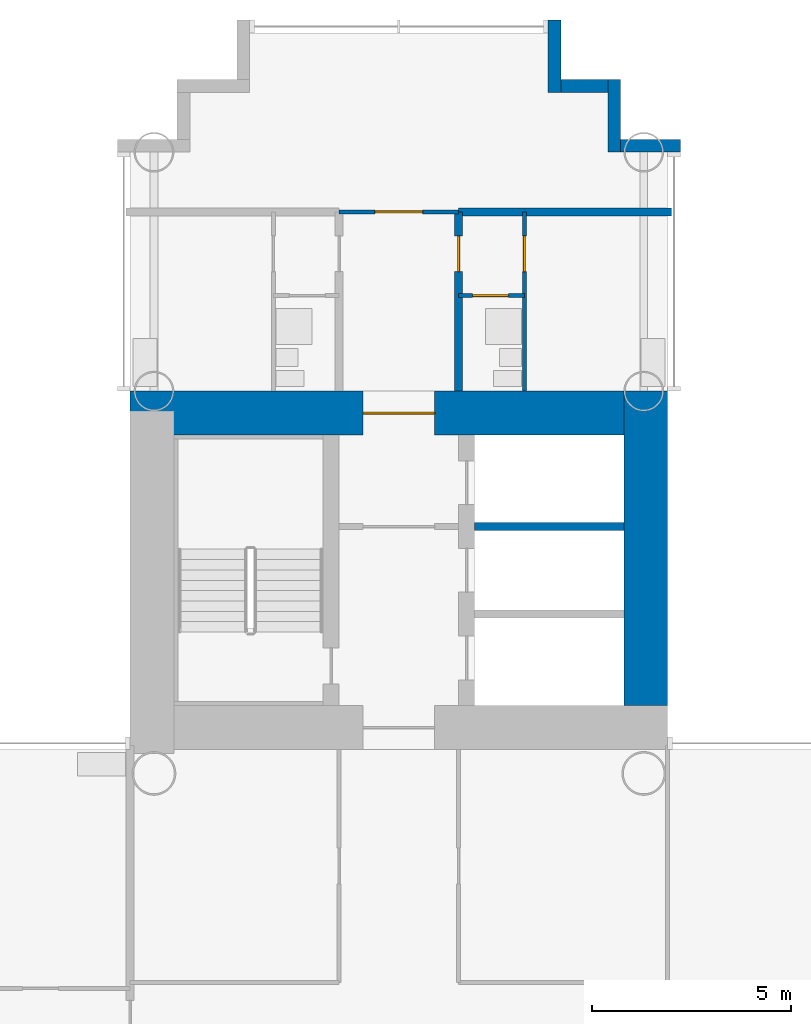
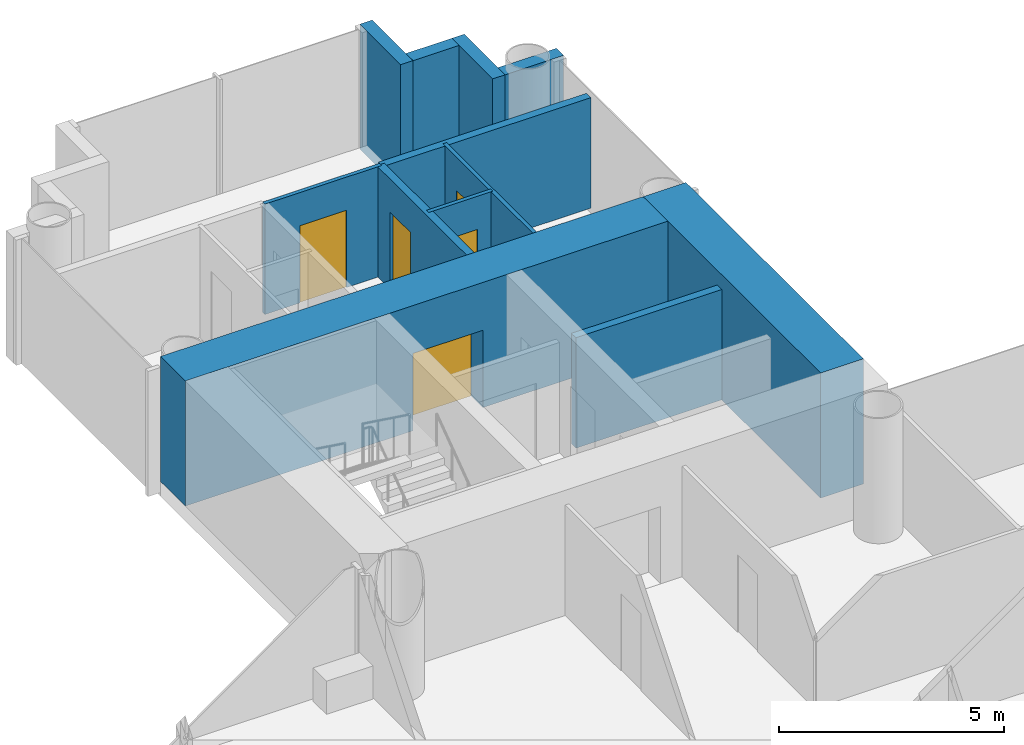
# One storey, part 15 of 21: 12 walls, 5 doors, 5 openings.
"""IFC4 building model written with IfcOpenShell, lengths in metres."""

from ifc_helpers import new_model, si_unit, direction, frame, frame_2d, origin, place, context, subcontext, project, spatial, rectangle, extrude, material, layer, layer_set, type_object, element, fill, save


model = new_model("IFC4")

# Units and contexts
model_context = context("Model", 3, precision=1e-05, world=origin(), true_north=direction((0.0, 1.0)))
body_context = subcontext(model_context, "Body", "Model", "MODEL_VIEW")
ifc_project = project(units=[si_unit("LENGTHUNIT", "METRE"), si_unit("AREAUNIT", "SQUARE_METRE"), si_unit("VOLUMEUNIT", "CUBIC_METRE"), si_unit("PLANEANGLEUNIT", "RADIAN"), si_unit("MASSUNIT", "GRAM", prefix="KILO")], contexts=[model_context])

# Site, building, storey
site_placement = place(None, origin())
site = spatial("IfcSite", under=ifc_project, at=site_placement, CompositionType="ELEMENT")
building_placement = place(site_placement, origin())
building = spatial("IfcBuilding", under=site, at=building_placement, Name="Ipe Terrace Towers", CompositionType="ELEMENT")
storey_placement = place(building_placement, frame((0.0, 0.0, 27.89990234375)))
storey = spatial("IfcBuildingStorey", under=building, at=storey_placement, Name="L06", CompositionType="ELEMENT", Elevation=27.89990234375)

# Walls
ifc_material_1 = material(Name="Concrete C40/50 with buff precast cladding", Category="concrete")
ifc_layer_1 = layer(ifc_material_1, 0.320068359375)
ifc_layer_set_1 = layer_set([ifc_layer_1], Name="BUFF CLADDING WALL 320")
wall_type_1 = type_object("IfcWallType", Name="BUFF CLADDING WALL 320", PredefinedType="STANDARD", material=ifc_layer_set_1)
wall_1_placement = place(storey_placement, frame((43.070068359375, 21.909912109375, -0.2998046875), z_axis=(0.0, 0.0, 1.0), x_axis=(-1.0, 0.0, 0.0)))
element("IfcWall", 1, at=wall_1_placement, inside=storey, type_object=wall_type_1, Name="T2-W-L06-21a wall", PredefinedType="STANDARD", context=body_context, shape_type="SweptSolid", body=[
    extrude(rectangle(XDim=1.5, YDim=0.320068359375, at=frame_2d((0.75, 0.0))), origin(), (0.0, 0.0, 1.0), 3.39990234375),
])
wall_2_placement = place(storey_placement, frame((41.409912109375, 21.75, -0.2998046875), z_axis=(0.0, 0.0, 1.0), x_axis=(0.0, 1.0, 0.0)))
element("IfcWall", 2, at=wall_2_placement, inside=storey, type_object=wall_type_1, Name="T2-W-L06-22a wall", PredefinedType="STANDARD", context=body_context, shape_type="SweptSolid", body=[
    extrude(rectangle(XDim=1.820068359375, YDim=0.320068359375, at=frame_2d((0.91015625, 0.0))), origin(), (0.0, 0.0, 1.0), 3.39990234375),
])
wall_3_placement = place(storey_placement, frame((41.25, 23.409912109375, -0.2998046875), z_axis=(0.0, 0.0, 1.0), x_axis=(-1.0, 0.0, 0.0)))
element("IfcWall", 3, at=wall_3_placement, inside=storey, type_object=wall_type_1, Name="T2-W-L06-23a wall", PredefinedType="STANDARD", context=body_context, shape_type="SweptSolid", body=[
    extrude(rectangle(XDim=1.179931640625, YDim=0.320068359375, at=frame_2d((0.58984375, 0.0))), origin(), (0.0, 0.0, 1.0), 3.39990234375),
])
wall_4_placement = place(storey_placement, frame((39.909912109375, 23.25, -0.2998046875), z_axis=(0.0, 0.0, 1.0), x_axis=(0.0, 1.0, 0.0)))
element("IfcWall", 4, at=wall_4_placement, inside=storey, type_object=wall_type_1, Name="T2-W-L06-24a wall", PredefinedType="STANDARD", context=body_context, shape_type="SweptSolid", body=[
    extrude(rectangle(XDim=1.820068359375, YDim=0.320068359375, at=frame_2d((0.91015625, 0.0))), origin(), (0.0, 0.0, 1.0), 3.39990234375),
])

# Wall, opening, door
ifc_material_2 = material(Name="Gypsum board partition", Category="plasterboard")
ifc_layer_2 = layer(ifc_material_2, 0.10009765625)
ifc_layer_set_2 = layer_set([ifc_layer_2], Name="Gypsum board partition 100 mm")
wall_type_2 = type_object("IfcWallType", Name="Gypsum board partition 100 mm", PredefinedType="PARTITIONING", material=ifc_layer_set_2)
wall_5_placement = place(storey_placement, frame((39.14990234375, 18.14990234375, 0.0), z_axis=(0.0, 0.0, 1.0), x_axis=(-1.0, 0.0, 0.0)))
wall_5 = element("IfcWall", 5, at=wall_5_placement, inside=storey, type_object=wall_type_2, Name="Gypsum board partition T2 L06 W19", PredefinedType="PARTITIONING", context=body_context, shape_type="SweptSolid", body=[
    extrude(rectangle(XDim=1.64990234375, YDim=0.10009765625, at=frame_2d((0.824951171875, 0.0))), origin(), (0.0, 0.0, 1.0), 3.0),
])
opening_1_placement = place(wall_5_placement, frame((0.39990234375, 0.0, 0.0)))
opening_1 = element("IfcOpeningElement", 6, at=opening_1_placement, cuts=wall_5, Name="Opening T2-Z1A-27", PredefinedType="OPENING", context=body_context, shape_type="SweptSolid", body=[
    extrude(rectangle(XDim=0.89990234375, YDim=2.10009765625, at=frame_2d((0.449951171875, 1.050048828125))), frame((0.0, 0.06005859375, 0.0), z_axis=(0.0, -1.0, 0.0), x_axis=(1.0, 0.0, 0.0)), (0.0, 0.0, 1.0), 0.1201171875),
])
ifc_material_3 = material(Name="Timber door leaf", Category="wood")
door_type_1 = type_object("IfcDoorType", Name="Bathroom door 900 x 2100", OperationType="NOTDEFINED", PredefinedType="DOOR", material=ifc_material_3)
door_1_placement = place(opening_1_placement, origin())
door_1 = element("IfcDoor", 7, at=door_1_placement, inside=storey, type_object=door_type_1, Name="Bathroom door T2-Z1A-27", OperationType="SINGLE_SWING_LEFT", OverallHeight=2.10009765625, OverallWidth=0.89990234375, PredefinedType="DOOR", context=body_context, shape_type="SweptSolid", body=[
    extrude(rectangle(XDim=0.89990234375, YDim=2.10009765625, at=frame_2d((0.449951171875, 1.050048828125))), frame((0.0, 0.02490234375, 0.0), z_axis=(0.0, -1.0, 0.0), x_axis=(1.0, 0.0, 0.0)), (0.0, 0.0, 1.0), 0.050048828125),
])
fill(opening_1, door_1)

wall_6_placement = place(storey_placement, frame((37.5, 20.25, 0.0), z_axis=(0.0, 0.0, 1.0), x_axis=(-1.0, 0.0, 0.0)))
wall_6 = element("IfcWall", 8, at=wall_6_placement, inside=storey, type_object=wall_type_2, Name="Gypsum board partition T2 L06 W21", PredefinedType="PARTITIONING", context=body_context, shape_type="SweptSolid", body=[
    extrude(rectangle(XDim=3.0, YDim=0.10009765625, at=frame_2d((1.5, 0.0))), origin(), (0.0, 0.0, 1.0), 3.0),
])
opening_2_placement = place(wall_6_placement, frame((0.89990234375, 0.0, 0.0)))
opening_2 = element("IfcOpeningElement", 9, at=opening_2_placement, cuts=wall_6, Name="Opening T2-Z1A-28", PredefinedType="OPENING", context=body_context, shape_type="SweptSolid", body=[
    extrude(rectangle(XDim=1.199951171875, YDim=2.10009765625, at=frame_2d((0.60009765625, 1.050048828125))), frame((0.0, 0.06005859375, 0.0), z_axis=(0.0, -1.0, 0.0), x_axis=(1.0, 0.0, 0.0)), (0.0, 0.0, 1.0), 0.1201171875),
])
ifc_material_4 = material(Name="Timber door leaf", Category="wood")
door_type_2 = type_object("IfcDoorType", Name="Lounge door 1200 x 2100", OperationType="NOTDEFINED", PredefinedType="DOOR", material=ifc_material_4)
door_2_placement = place(opening_2_placement, origin())
door_2 = element("IfcDoor", 10, at=door_2_placement, inside=storey, type_object=door_type_2, Name="Lounge door T2-Z1A-28", OperationType="SINGLE_SWING_RIGHT", OverallHeight=2.10009765625, OverallWidth=1.199951171875, PredefinedType="DOOR", context=body_context, shape_type="SweptSolid", body=[
    extrude(rectangle(XDim=1.199951171875, YDim=2.10009765625, at=frame_2d((0.60009765625, 1.050048828125))), frame((0.0, 0.02490234375, 0.0), z_axis=(0.0, -1.0, 0.0), x_axis=(1.0, 0.0, 0.0)), (0.0, 0.0, 1.0), 0.050048828125),
])
fill(opening_2, door_2)

wall_7_placement = place(storey_placement, frame((39.14990234375, 15.75, 0.0), z_axis=(0.0, 0.0, 1.0), x_axis=(0.0, 1.0, 0.0)))
wall_7 = element("IfcWall", 11, at=wall_7_placement, inside=storey, type_object=wall_type_2, Name="Gypsum board partition T2 L06 W34", PredefinedType="PARTITIONING", context=body_context, shape_type="SweptSolid", body=[
    extrude(rectangle(XDim=4.5, YDim=0.10009765625, at=frame_2d((2.25, 0.0))), origin(), (0.0, 0.0, 1.0), 3.0),
])
opening_3_placement = place(wall_7_placement, frame((3.0, 0.0, 0.0)))
opening_3 = element("IfcOpeningElement", 12, at=opening_3_placement, cuts=wall_7, Name="Opening T2-Z1A-26", PredefinedType="OPENING", context=body_context, shape_type="SweptSolid", body=[
    extrude(rectangle(XDim=0.89990234375, YDim=2.10009765625, at=frame_2d((0.449951171875, 1.050048828125))), frame((0.0, 0.06005859375, 0.0), z_axis=(0.0, -1.0, 0.0), x_axis=(1.0, 0.0, 0.0)), (0.0, 0.0, 1.0), 0.1201171875),
])
ifc_material_5 = material(Name="Timber door leaf", Category="wood")
door_type_3 = type_object("IfcDoorType", Name="Bedroom door 900 x 2100", OperationType="NOTDEFINED", PredefinedType="DOOR", material=ifc_material_5)
door_3_placement = place(opening_3_placement, origin())
door_3 = element("IfcDoor", 13, at=door_3_placement, inside=storey, type_object=door_type_3, Name="Bedroom door T2-Z1A-26", OperationType="SINGLE_SWING_RIGHT", OverallHeight=2.10009765625, OverallWidth=0.89990234375, PredefinedType="DOOR", context=body_context, shape_type="SweptSolid", body=[
    extrude(rectangle(XDim=0.89990234375, YDim=2.10009765625, at=frame_2d((0.449951171875, 1.050048828125))), frame((0.0, 0.02490234375, 0.0), z_axis=(0.0, -1.0, 0.0), x_axis=(1.0, 0.0, 0.0)), (0.0, 0.0, 1.0), 0.050048828125),
])
fill(opening_3, door_3)

# Walls
ifc_material_6 = material(Name="Gypsum board party wall", Category="plasterboard")
ifc_layer_3 = layer(ifc_material_6, 0.199951171875)
ifc_layer_set_3 = layer_set([ifc_layer_3], Name="Gypsum board party wall 200 mm")
wall_type_3 = type_object("IfcWallType", Name="Gypsum board party wall 200 mm", PredefinedType="SOLIDWALL", material=ifc_layer_set_3)
wall_8_placement = place(storey_placement, frame((41.64990234375, 12.35009765625, 0.0), z_axis=(0.0, 0.0, 1.0), x_axis=(-1.0, 0.0, 0.0)))
element("IfcWall", 14, at=wall_8_placement, inside=storey, type_object=wall_type_3, Name="Gypsum board party wall T2 L06 t2c1-shaft-div2", PredefinedType="SOLIDWALL", context=body_context, shape_type="SweptSolid", body=[
    extrude(rectangle(XDim=3.75, YDim=0.199951171875, at=frame_2d((1.875, 0.0))), origin(), (0.0, 0.0, 1.0), 3.0),
])
wall_9_placement = place(storey_placement, frame((42.85009765625, 20.25, 0.0), z_axis=(0.0, 0.0, 1.0), x_axis=(-1.0, 0.0, 0.0)))
element("IfcWall", 15, at=wall_9_placement, inside=storey, type_object=wall_type_3, Name="Gypsum board party wall T2 L06 W22", PredefinedType="SOLIDWALL", context=body_context, shape_type="SweptSolid", body=[
    extrude(rectangle(XDim=5.35009765625, YDim=0.199951171875, at=frame_2d((2.675048828125, 0.0))), origin(), (0.0, 0.0, 1.0), 3.0),
])

# Wall, opening, door
wall_10_placement = place(storey_placement, frame((37.5, 15.75, 0.0), z_axis=(0.0, 0.0, 1.0), x_axis=(0.0, 1.0, 0.0)))
wall_10 = element("IfcWall", 16, at=wall_10_placement, inside=storey, type_object=wall_type_3, Name="Gypsum board party wall T2 L06 W38", PredefinedType="SOLIDWALL", context=body_context, shape_type="SweptSolid", body=[
    extrude(rectangle(XDim=4.5, YDim=0.199951171875, at=frame_2d((2.25, 0.0))), origin(), (0.0, 0.0, 1.0), 3.0),
])
opening_4_placement = place(wall_10_placement, frame((3.0, 0.0, 0.0)))
opening_4 = element("IfcOpeningElement", 17, at=opening_4_placement, cuts=wall_10, Name="Opening T2-Z1A-25", PredefinedType="OPENING", context=body_context, shape_type="SweptSolid", body=[
    extrude(rectangle(XDim=0.89990234375, YDim=2.10009765625, at=frame_2d((0.449951171875, 1.050048828125))), frame((0.0, 0.10986328125, 0.0), z_axis=(0.0, -1.0, 0.0), x_axis=(1.0, 0.0, 0.0)), (0.0, 0.0, 1.0), 0.219970703125),
])
ifc_material_7 = material(Name="Fire-rated timber door leaf", Category="wood")
door_type_4 = type_object("IfcDoorType", Name="Flat entrance door 900 x 2100 FD30S", OperationType="NOTDEFINED", PredefinedType="DOOR", material=ifc_material_7)
door_4_placement = place(opening_4_placement, origin())
door_4 = element("IfcDoor", 18, at=door_4_placement, inside=storey, type_object=door_type_4, Name="Flat entrance door T2-Z1A-25", OperationType="SINGLE_SWING_RIGHT", OverallHeight=2.10009765625, OverallWidth=0.89990234375, PredefinedType="DOOR", context=body_context, shape_type="SweptSolid", body=[
    extrude(rectangle(XDim=0.89990234375, YDim=2.10009765625, at=frame_2d((0.449951171875, 1.050048828125))), frame((0.0, 0.02490234375, 0.0), z_axis=(0.0, -1.0, 0.0), x_axis=(1.0, 0.0, 0.0)), (0.0, 0.0, 1.0), 0.050048828125),
])
fill(opening_4, door_4)

# Wall
ifc_material_8 = material(Name="Concrete C60/75", Category="concrete")
ifc_layer_4 = layer(ifc_material_8, 1.10009765625)
ifc_layer_set_4 = layer_set([ifc_layer_4], Name="RW1100 CORE WALL 1100 C60-75")
wall_type_4 = type_object("IfcWallType", Name="RW1100 CORE WALL 1100 C60-75", PredefinedType="SHEAR", material=ifc_layer_set_4)
wall_11_placement = place(storey_placement, frame((42.199951171875, 7.85009765625, 0.0), z_axis=(0.0, 0.0, 1.0), x_axis=(0.0, 1.0, 0.0)))
element("IfcWall", 19, at=wall_11_placement, inside=storey, type_object=wall_type_4, Name="Core wall T2-C1-Z1-W02", PredefinedType="SHEAR", context=body_context, shape_type="SweptSolid", body=[
    extrude(rectangle(XDim=7.89990234375, YDim=1.10009765625, at=frame_2d((3.949951171875, 0.0))), origin(), (0.0, 0.0, 1.0), 3.400146484375),
])

# Wall, opening, door
wall_12_placement = place(storey_placement, frame((41.64990234375, 15.199951171875, 0.0), z_axis=(0.0, 0.0, 1.0), x_axis=(-1.0, 0.0, 0.0)))
wall_12 = element("IfcWall", 20, at=wall_12_placement, inside=storey, type_object=wall_type_4, Name="Core wall T2-C1-Z1-W03", PredefinedType="SHEAR", context=body_context, shape_type="SweptSolid", body=[
    extrude(rectangle(XDim=12.39990234375, YDim=1.10009765625, at=frame_2d((6.199951171875, 0.0))), origin(), (0.0, 0.0, 1.0), 3.400146484375),
])
opening_5_placement = place(wall_12_placement, frame((4.75, 0.0, 0.0)))
opening_5 = element("IfcOpeningElement", 21, at=opening_5_placement, cuts=wall_12, Name="Opening T2C1-FD", PredefinedType="OPENING", context=body_context, shape_type="SweptSolid", body=[
    extrude(rectangle(XDim=1.800048828125, YDim=2.10009765625, at=frame_2d((0.89990234375, 1.050048828125))), frame((0.0, 0.56005859375, 0.0), z_axis=(0.0, -1.0, 0.0), x_axis=(1.0, 0.0, 0.0)), (0.0, 0.0, 1.0), 1.1201171875),
])
ifc_material_9 = material(Name="Fire-rated timber door leaf", Category="wood")
door_type_5 = type_object("IfcDoorType", Name="Fire door 1800 x 2100 FD30S", OperationType="NOTDEFINED", PredefinedType="DOOR", material=ifc_material_9)
door_5_placement = place(opening_5_placement, origin())
door_5 = element("IfcDoor", 22, at=door_5_placement, inside=storey, type_object=door_type_5, Name="Fire door T2C1-FD", OperationType="SINGLE_SWING_LEFT", OverallHeight=2.10009765625, OverallWidth=1.800048828125, PredefinedType="DOOR", context=body_context, shape_type="SweptSolid", body=[
    extrude(rectangle(XDim=1.800048828125, YDim=2.10009765625, at=frame_2d((0.89990234375, 1.050048828125))), frame((0.0, 0.02490234375, 0.0), z_axis=(0.0, -1.0, 0.0), x_axis=(1.0, 0.0, 0.0)), (0.0, 0.0, 1.0), 0.050048828125),
])
fill(opening_5, door_5)

save(model, "model.ifc")
